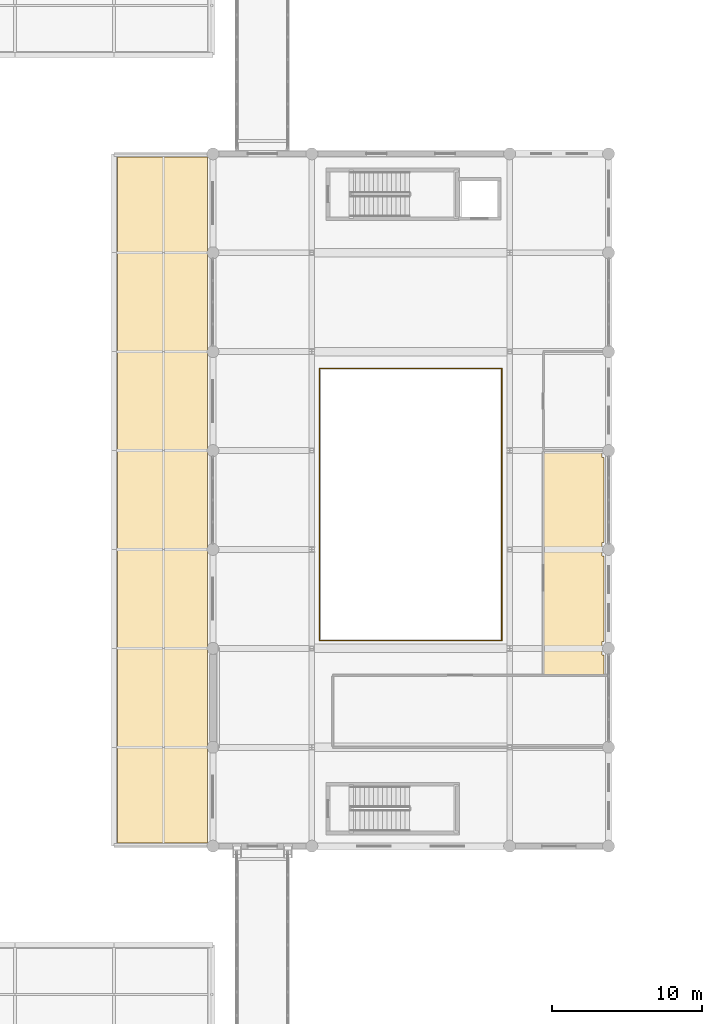
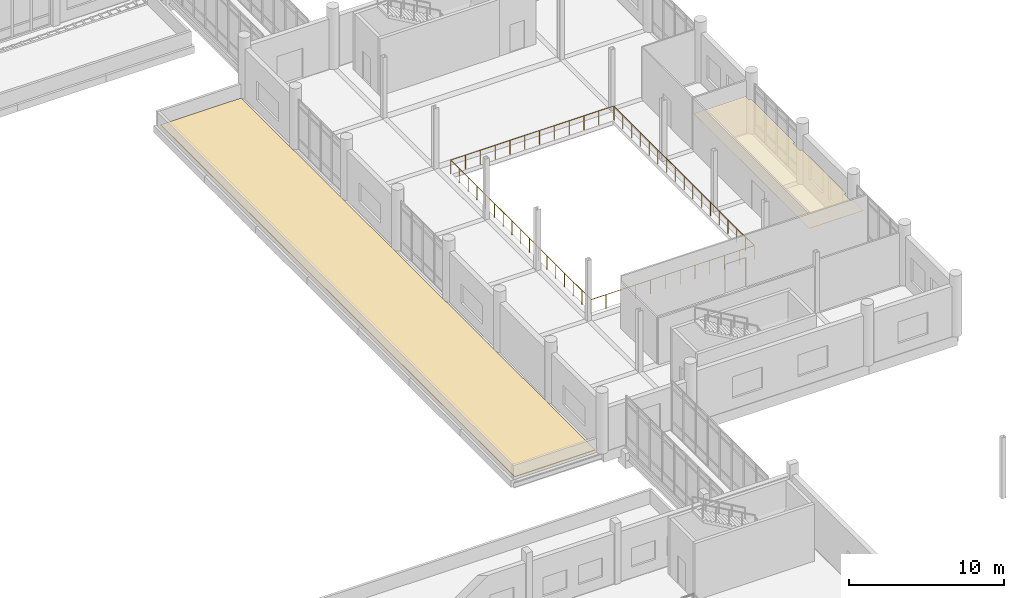
# One storey, part 105 of 125: 2 coverings, 2 railings.
"""IFC4 building model written with IfcOpenShell, lengths in metres."""

from ifc_helpers import new_model, si_unit, direction, frame, origin, origin_2d, place, context, subcontext, project, spatial, polyline, circle, outline, extrude, material, layer, layer_set, type_object, element, save


model = new_model("IFC4")

# Units and contexts
model_context = context("Model", 3, precision=1e-05, world=origin(), true_north=direction((0.0, 1.0)))
body_context = subcontext(model_context, "Body", "Model", "MODEL_VIEW")
ifc_project = project(units=[si_unit("LENGTHUNIT", "METRE"), si_unit("AREAUNIT", "SQUARE_METRE"), si_unit("VOLUMEUNIT", "CUBIC_METRE"), si_unit("PLANEANGLEUNIT", "RADIAN"), si_unit("MASSUNIT", "GRAM", prefix="KILO")], contexts=[model_context])

# Site, building, storey
site_placement = place(None, origin())
site = spatial("IfcSite", under=ifc_project, at=site_placement, CompositionType="ELEMENT")
building_placement = place(site_placement, origin())
building = spatial("IfcBuilding", under=site, at=building_placement, Name="Dornvale Research Institute", CompositionType="ELEMENT")
storey_placement = place(building_placement, frame((0.0, 0.0, 5.39990234375)))
storey = spatial("IfcBuildingStorey", under=building, at=storey_placement, Name="L01", CompositionType="ELEMENT", Elevation=5.39990234375)

# Coverings
ifc_material_1 = material(Name="Mineral-Fibre Acoustic Lay-In Ceiling Tile System")
ifc_layer_1 = layer(ifc_material_1, 0.02001953125)
ifc_layer_set_1 = layer_set([ifc_layer_1], Name="Mineral-Fibre Acoustic Lay-In Ceiling Tile System")
covering_type_1 = type_object("IfcCoveringType", Name="Covering_Acoustic_Ceiling", PredefinedType="CEILING", material=ifc_layer_set_1)
covering_1_placement = place(storey_placement, frame((0.0, 0.0, 2.85009765625)))
element("IfcCovering", 1, at=covering_1_placement, inside=storey, type_object=covering_type_1, Name="L01 Civic Science Seminar Room L01 suspended ceiling", PredefinedType="CEILING", context=body_context, shape_type="SweptSolid", body=[
    extrude(outline(polyline([(65.550048828125, 59.85009765625), (65.550048828125, 58.949951171875), (65.699951171875, 58.949951171875), (65.699951171875, 53.25), (65.550048828125, 53.25), (65.550048828125, 52.35009765625), (65.699951171875, 52.35009765625), (65.699951171875, 51.02001953125), (61.669921875, 51.02001953125), (61.669921875, 65.97998046875), (65.550048828125, 65.97998046875), (65.550048828125, 65.550048828125), (65.699951171875, 65.550048828125), (65.699951171875, 59.85009765625), (65.550048828125, 59.85009765625)])), origin(), (0.0, 0.0, 1.0), 0.02001953125),
])
ifc_material_2 = material(Name="TPO High-Reflectance Cool Roof Membrane and Rigid Insulation")
ifc_layer_2 = layer(ifc_material_2, 0.06005859375)
ifc_layer_set_2 = layer_set([ifc_layer_2], Name="TPO High-Reflectance Cool Roof Membrane and Rigid Insulation")
covering_type_2 = type_object("IfcCoveringType", Name="Covering_CoolRoof_Membrane", PredefinedType="ROOFING", material=ifc_layer_set_2)
covering_2_placement = place(storey_placement, origin())
element("IfcCovering", 2, at=covering_2_placement, inside=storey, type_object=covering_type_2, Name="L01 colonnade canopy membrane E", PredefinedType="ROOFING", context=body_context, shape_type="SweptSolid", body=[
    extrude(outline(polyline([(33.219970703125, 39.820068359375), (39.22998046875, 39.820068359375), (39.22998046875, 85.580078125), (33.219970703125, 85.580078125), (33.219970703125, 39.820068359375)])), origin(), (0.0, 0.0, 1.0), 0.06005859375),
])

# Railings
ifc_material_3 = material(Name="Architectural Bronze-Anodized Steel Balustrade", Category="steel")
ifc_layer_3 = layer(ifc_material_3, 0.070068359375)
ifc_layer_set_3 = layer_set([ifc_layer_3], Name="Architectural Bronze-Anodized Steel Balustrade")
railing_type = type_object("IfcRailingType", Name="Railing_Atrium_Balustrade_1120", PredefinedType="BALUSTRADE", material=ifc_layer_set_3)
railing_1_placement = place(storey_placement, frame((46.719970703125, 53.320068359375, 0.0)))
element("IfcRailing", 3, at=railing_1_placement, inside=storey, type_object=railing_type, Name="L01 BAL-ATR balustrade SE", PredefinedType="BALUSTRADE", context=body_context, shape_type="SweptSolid", body=[
    extrude(circle(Radius=0.02392578125, at=origin_2d()), frame((0.0, 0.0, 1.09619140625), z_axis=(1.0, 0.0, 0.0), x_axis=(0.0, 1.0, 0.0)), (0.0, 0.0, 1.0), 12.159912109375),
    extrude(circle(Radius=0.02392578125, at=origin_2d()), frame((12.159912109375, 0.0, 1.09619140625), z_axis=(0.0, 1.0, 0.0), x_axis=(-1.0, 0.0, 0.0)), (0.0, 0.0, 1.0), 18.099853515625),
    extrude(circle(Radius=0.02099609375, at=origin_2d()), origin(), (0.0, 0.0, 1.0), 1.072021484375),
    extrude(circle(Radius=0.02099609375, at=origin_2d()), frame((1.10546875, 0.0, 0.0)), (0.0, 0.0, 1.0), 1.072021484375),
    extrude(circle(Radius=0.02099609375, at=origin_2d()), frame((2.2109375, 0.0, 0.0)), (0.0, 0.0, 1.0), 1.072021484375),
    extrude(circle(Radius=0.02099609375, at=origin_2d()), frame((3.31640625, 0.0, 0.0)), (0.0, 0.0, 1.0), 1.072021484375),
    extrude(circle(Radius=0.02099609375, at=origin_2d()), frame((4.421875, 0.0, 0.0)), (0.0, 0.0, 1.0), 1.072021484375),
    extrude(circle(Radius=0.02099609375, at=origin_2d()), frame((5.52734375, 0.0, 0.0)), (0.0, 0.0, 1.0), 1.072021484375),
    extrude(circle(Radius=0.02099609375, at=origin_2d()), frame((6.632568359375, 0.0, 0.0)), (0.0, 0.0, 1.0), 1.072021484375),
    extrude(circle(Radius=0.02099609375, at=origin_2d()), frame((7.738037109375, 0.0, 0.0)), (0.0, 0.0, 1.0), 1.072021484375),
    extrude(circle(Radius=0.02099609375, at=origin_2d()), frame((8.843505859375, 0.0, 0.0)), (0.0, 0.0, 1.0), 1.072021484375),
    extrude(circle(Radius=0.02099609375, at=origin_2d()), frame((9.948974609375, 0.0, 0.0)), (0.0, 0.0, 1.0), 1.072021484375),
    extrude(circle(Radius=0.02099609375, at=origin_2d()), frame((11.054443359375, 0.0, 0.0)), (0.0, 0.0, 1.0), 1.072021484375),
    extrude(circle(Radius=0.02099609375, at=origin_2d()), frame((12.159912109375, 0.0, 0.0)), (0.0, 0.0, 1.0), 1.072021484375),
    extrude(circle(Radius=0.02099609375, at=origin_2d()), frame((12.159912109375, 1.13134765625, 0.0)), (0.0, 0.0, 1.0), 1.072021484375),
    extrude(circle(Radius=0.02099609375, at=origin_2d()), frame((12.159912109375, 2.262451171875, 0.0)), (0.0, 0.0, 1.0), 1.072021484375),
    extrude(circle(Radius=0.02099609375, at=origin_2d()), frame((12.159912109375, 3.393798828125, 0.0)), (0.0, 0.0, 1.0), 1.072021484375),
    extrude(circle(Radius=0.02099609375, at=origin_2d()), frame((12.159912109375, 4.52490234375, 0.0)), (0.0, 0.0, 1.0), 1.072021484375),
    extrude(circle(Radius=0.02099609375, at=origin_2d()), frame((12.159912109375, 5.65625, 0.0)), (0.0, 0.0, 1.0), 1.072021484375),
    extrude(circle(Radius=0.02099609375, at=origin_2d()), frame((12.159912109375, 6.787353515625, 0.0)), (0.0, 0.0, 1.0), 1.072021484375),
    extrude(circle(Radius=0.02099609375, at=origin_2d()), frame((12.159912109375, 7.918701171875, 0.0)), (0.0, 0.0, 1.0), 1.072021484375),
    extrude(circle(Radius=0.02099609375, at=origin_2d()), frame((12.159912109375, 9.0498046875, 0.0)), (0.0, 0.0, 1.0), 1.072021484375),
    extrude(circle(Radius=0.02099609375, at=origin_2d()), frame((12.159912109375, 10.18115234375, 0.0)), (0.0, 0.0, 1.0), 1.072021484375),
    extrude(circle(Radius=0.02099609375, at=origin_2d()), frame((12.159912109375, 11.3125, 0.0)), (0.0, 0.0, 1.0), 1.072021484375),
    extrude(circle(Radius=0.02099609375, at=origin_2d()), frame((12.159912109375, 12.443603515625, 0.0)), (0.0, 0.0, 1.0), 1.072021484375),
    extrude(circle(Radius=0.02099609375, at=origin_2d()), frame((12.159912109375, 13.574951171875, 0.0)), (0.0, 0.0, 1.0), 1.072021484375),
    extrude(circle(Radius=0.02099609375, at=origin_2d()), frame((12.159912109375, 14.7060546875, 0.0)), (0.0, 0.0, 1.0), 1.072021484375),
    extrude(circle(Radius=0.02099609375, at=origin_2d()), frame((12.159912109375, 15.83740234375, 0.0)), (0.0, 0.0, 1.0), 1.072021484375),
    extrude(circle(Radius=0.02099609375, at=origin_2d()), frame((12.159912109375, 16.968505859375, 0.0)), (0.0, 0.0, 1.0), 1.072021484375),
    extrude(circle(Radius=0.02099609375, at=origin_2d()), frame((12.159912109375, 18.099853515625, 0.0)), (0.0, 0.0, 1.0), 1.072021484375),
])
railing_2_placement = place(storey_placement, frame((58.8798828125, 71.47998046875, 0.0)))
element("IfcRailing", 4, at=railing_2_placement, inside=storey, type_object=railing_type, Name="L01 BAL-ATR balustrade NW", PredefinedType="BALUSTRADE", context=body_context, shape_type="SweptSolid", body=[
    extrude(circle(Radius=0.02392578125, at=origin_2d()), frame((0.0, 0.0, 1.09619140625), z_axis=(-1.0, 0.0, 0.0), x_axis=(0.0, -1.0, 0.0)), (0.0, 0.0, 1.0), 12.159912109375),
    extrude(circle(Radius=0.02392578125, at=origin_2d()), frame((-12.159912109375, 0.0, 1.09619140625), z_axis=(0.0, -1.0, 0.0), x_axis=(1.0, 0.0, 0.0)), (0.0, 0.0, 1.0), 18.10009765625),
    extrude(circle(Radius=0.02099609375, at=origin_2d()), origin(), (0.0, 0.0, 1.0), 1.072021484375),
    extrude(circle(Radius=0.02099609375, at=origin_2d()), frame((-1.10546875, 0.0, 0.0)), (0.0, 0.0, 1.0), 1.072021484375),
    extrude(circle(Radius=0.02099609375, at=origin_2d()), frame((-2.2109375, 0.0, 0.0)), (0.0, 0.0, 1.0), 1.072021484375),
    extrude(circle(Radius=0.02099609375, at=origin_2d()), frame((-3.31640625, 0.0, 0.0)), (0.0, 0.0, 1.0), 1.072021484375),
    extrude(circle(Radius=0.02099609375, at=origin_2d()), frame((-4.421875, 0.0, 0.0)), (0.0, 0.0, 1.0), 1.072021484375),
    extrude(circle(Radius=0.02099609375, at=origin_2d()), frame((-5.52734375, 0.0, 0.0)), (0.0, 0.0, 1.0), 1.072021484375),
    extrude(circle(Radius=0.02099609375, at=origin_2d()), frame((-6.632568359375, 0.0, 0.0)), (0.0, 0.0, 1.0), 1.072021484375),
    extrude(circle(Radius=0.02099609375, at=origin_2d()), frame((-7.738037109375, 0.0, 0.0)), (0.0, 0.0, 1.0), 1.072021484375),
    extrude(circle(Radius=0.02099609375, at=origin_2d()), frame((-8.843505859375, 0.0, 0.0)), (0.0, 0.0, 1.0), 1.072021484375),
    extrude(circle(Radius=0.02099609375, at=origin_2d()), frame((-9.948974609375, 0.0, 0.0)), (0.0, 0.0, 1.0), 1.072021484375),
    extrude(circle(Radius=0.02099609375, at=origin_2d()), frame((-11.054443359375, 0.0, 0.0)), (0.0, 0.0, 1.0), 1.072021484375),
    extrude(circle(Radius=0.02099609375, at=origin_2d()), frame((-12.159912109375, 0.0, 0.0)), (0.0, 0.0, 1.0), 1.072021484375),
    extrude(circle(Radius=0.02099609375, at=origin_2d()), frame((-12.159912109375, -1.13134765625, 0.0)), (0.0, 0.0, 1.0), 1.072021484375),
    extrude(circle(Radius=0.02099609375, at=origin_2d()), frame((-12.159912109375, -2.262451171875, 0.0)), (0.0, 0.0, 1.0), 1.072021484375),
    extrude(circle(Radius=0.02099609375, at=origin_2d()), frame((-12.159912109375, -3.393798828125, 0.0)), (0.0, 0.0, 1.0), 1.072021484375),
    extrude(circle(Radius=0.02099609375, at=origin_2d()), frame((-12.159912109375, -4.52490234375, 0.0)), (0.0, 0.0, 1.0), 1.072021484375),
    extrude(circle(Radius=0.02099609375, at=origin_2d()), frame((-12.159912109375, -5.65625, 0.0)), (0.0, 0.0, 1.0), 1.072021484375),
    extrude(circle(Radius=0.02099609375, at=origin_2d()), frame((-12.159912109375, -6.78759765625, 0.0)), (0.0, 0.0, 1.0), 1.072021484375),
    extrude(circle(Radius=0.02099609375, at=origin_2d()), frame((-12.159912109375, -7.918701171875, 0.0)), (0.0, 0.0, 1.0), 1.072021484375),
    extrude(circle(Radius=0.02099609375, at=origin_2d()), frame((-12.159912109375, -9.050048828125, 0.0)), (0.0, 0.0, 1.0), 1.072021484375),
    extrude(circle(Radius=0.02099609375, at=origin_2d()), frame((-12.159912109375, -10.181396484375, 0.0)), (0.0, 0.0, 1.0), 1.072021484375),
    extrude(circle(Radius=0.02099609375, at=origin_2d()), frame((-12.159912109375, -11.3125, 0.0)), (0.0, 0.0, 1.0), 1.072021484375),
    extrude(circle(Radius=0.02099609375, at=origin_2d()), frame((-12.159912109375, -12.44384765625, 0.0)), (0.0, 0.0, 1.0), 1.072021484375),
    extrude(circle(Radius=0.02099609375, at=origin_2d()), frame((-12.159912109375, -13.5751953125, 0.0)), (0.0, 0.0, 1.0), 1.072021484375),
    extrude(circle(Radius=0.02099609375, at=origin_2d()), frame((-12.159912109375, -14.706298828125, 0.0)), (0.0, 0.0, 1.0), 1.072021484375),
    extrude(circle(Radius=0.02099609375, at=origin_2d()), frame((-12.159912109375, -15.837646484375, 0.0)), (0.0, 0.0, 1.0), 1.072021484375),
    extrude(circle(Radius=0.02099609375, at=origin_2d()), frame((-12.159912109375, -16.96875, 0.0)), (0.0, 0.0, 1.0), 1.072021484375),
    extrude(circle(Radius=0.02099609375, at=origin_2d()), frame((-12.159912109375, -18.10009765625, 0.0)), (0.0, 0.0, 1.0), 1.072021484375),
])

save(model, "model.ifc")
